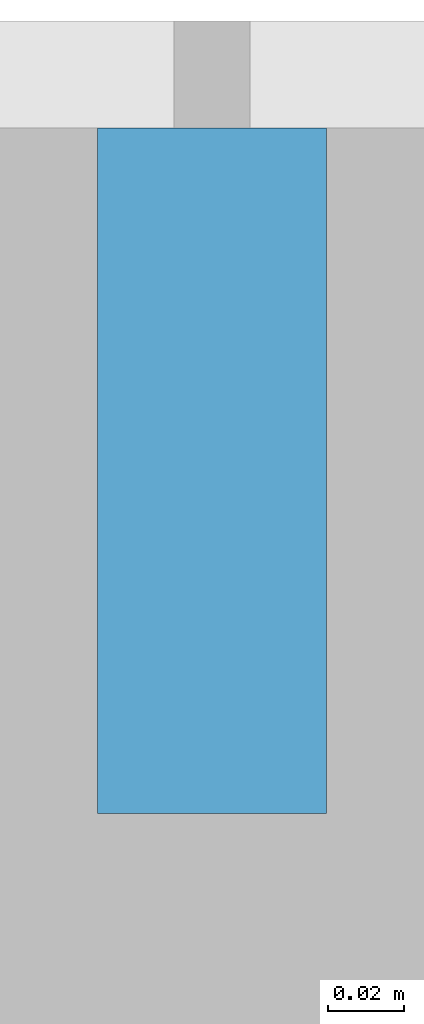
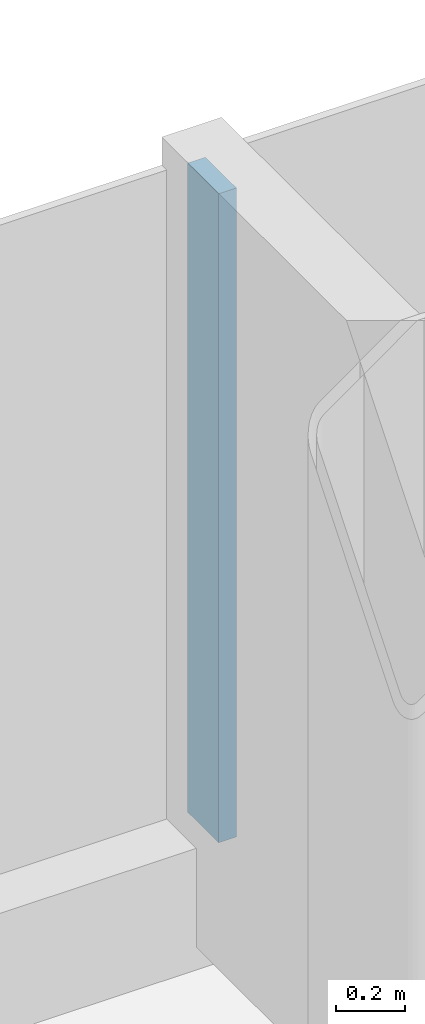
# One storey, part 7 of 26: 1 member, 1 element without a shape of its own.
"""IFC4 building model written with IfcOpenShell, lengths in metres."""

from ifc_helpers import new_model, si_unit, direction, frame, origin, origin_2d, place, context, subcontext, project, spatial, rectangle, extrude, material, layer, layer_set, material_profile, profile_set, type_object, element, aggregate, save


model = new_model("IFC4")

# Units and contexts
model_context = context("Model", 3, precision=1e-05, world=origin(), true_north=direction((0.0, 1.0)))
body_context = subcontext(model_context, "Body", "Model", "MODEL_VIEW")
ifc_project = project(units=[si_unit("LENGTHUNIT", "METRE"), si_unit("AREAUNIT", "SQUARE_METRE"), si_unit("VOLUMEUNIT", "CUBIC_METRE"), si_unit("PLANEANGLEUNIT", "RADIAN"), si_unit("MASSUNIT", "GRAM", prefix="KILO")], contexts=[model_context])

# Site, building, storey
site_placement = place(None, origin())
site = spatial("IfcSite", under=ifc_project, at=site_placement, CompositionType="ELEMENT")
building_placement = place(site_placement, origin())
building = spatial("IfcBuilding", under=site, at=building_placement, Name="Hakoniwa Tower and Hamabe Station Hall", CompositionType="ELEMENT")
storey_placement = place(building_placement, frame((0.0, 0.0, 212.199951171875)))
storey = spatial("IfcBuildingStorey", under=building, at=storey_placement, Name="L60", CompositionType="ELEMENT", Elevation=212.199951171875)

# Curtain wall, member
ifc_material_1 = material(Name="Dark low-e laminated glass", Category="glass")
ifc_layer = layer(ifc_material_1, 0.199951171875)
ifc_layer_set = layer_set([ifc_layer], Name="CW-1 UNITISED GUEST")
curtain_wall_type = type_object("IfcCurtainWallType", Name="CW-1 UNITISED GUEST", PredefinedType="NOTDEFINED", material=ifc_layer_set)
curtain_wall_placement = place(storey_placement, origin())
curtain_wall = element("IfcCurtainWall", 1, at=curtain_wall_placement, inside=storey, type_object=curtain_wall_type, Name="CW-1 curtain wall", PredefinedType="NOTDEFINED")
ifc_material_2 = material(Name="Aluminium 6063-T5 black anodised", Category="aluminium")
ifc_material_profile = material_profile(ifc_material_2, rectangle(XDim=0.06005859375, YDim=0.179931640625, at=origin_2d()), Name="CW-1 MULLION 60X180")
ifc_profile_set = profile_set([ifc_material_profile], Name="Aluminium 6063-T5 black anodised")
member_type = type_object("IfcMemberType", Name="CW-1 MULLION 60X180", PredefinedType="MULLION", material=ifc_profile_set)
member_placement = place(storey_placement, frame((0.0, 20.431884765625, 0.35009765625), z_axis=(0.0, 0.0, 1.0), x_axis=(-1.0, 0.0, 0.0)))
member = element("IfcMember", 2, at=member_placement, type_object=member_type, Name="CW-1 mullion", PredefinedType="MULLION", context=body_context, shape_type="SweptSolid", body=[
    extrude(rectangle(XDim=0.06005859375, YDim=0.179931640625, at=origin_2d()), origin(), (0.0, 0.0, 1.0), 2.300048828125),
])
aggregate(curtain_wall, [member])

save(model, "model.ifc")
